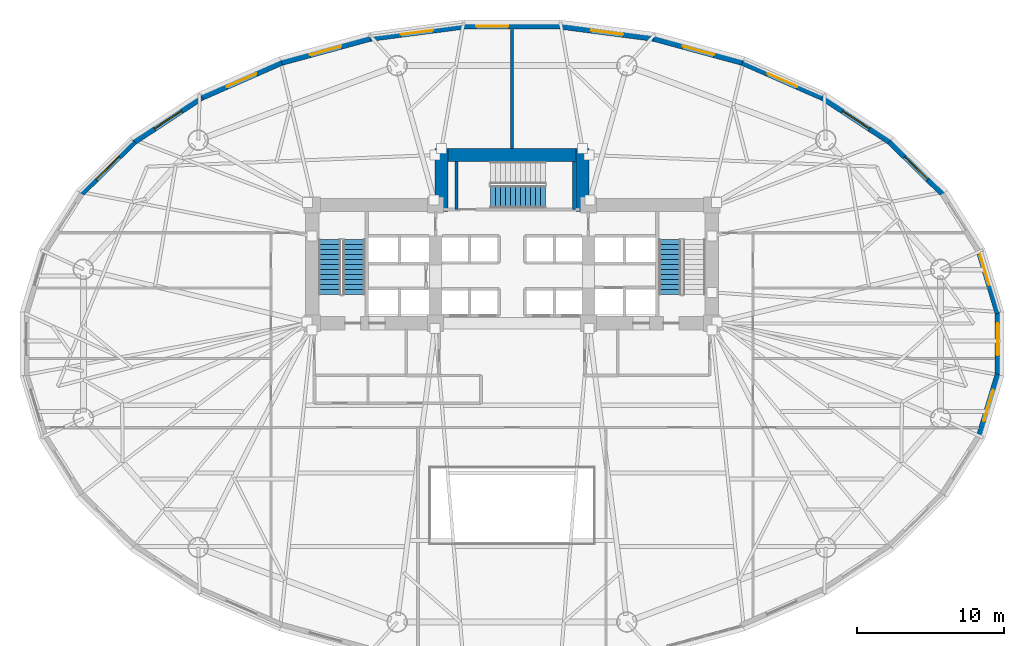
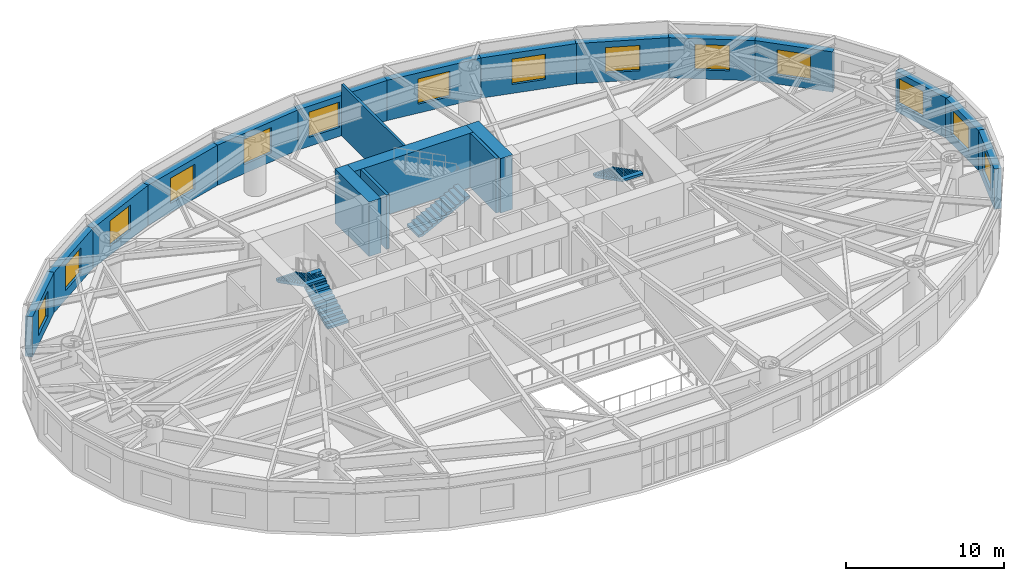
# One storey, part 12 of 19: 20 walls, 14 windows, 4 stair flights, 14 openings, 3 elements without a shape of their own.
"""IFC4 building model written with IfcOpenShell, lengths in metres."""

from ifc_helpers import new_model, si_unit, direction, frame, frame_2d, origin, place, context, subcontext, project, spatial, polyline, rectangle, outline, extrude, material, layer, layer_set, type_object, element, fill, aggregate, save


model = new_model("IFC4")

# Units and contexts
model_context = context("Model", 3, precision=1e-05, world=origin(), true_north=direction((0.0, 1.0)))
body_context = subcontext(model_context, "Body", "Model", "MODEL_VIEW")
ifc_project = project(units=[si_unit("LENGTHUNIT", "METRE"), si_unit("AREAUNIT", "SQUARE_METRE"), si_unit("VOLUMEUNIT", "CUBIC_METRE"), si_unit("PLANEANGLEUNIT", "RADIAN"), si_unit("MASSUNIT", "GRAM", prefix="KILO")], contexts=[model_context])

# Site, building, storey
site_placement = place(None, origin())
site = spatial("IfcSite", under=ifc_project, at=site_placement, CompositionType="ELEMENT")
building_placement = place(site_placement, origin())
building = spatial("IfcBuilding", under=site, at=building_placement, Name="Keldmark Tower", CompositionType="ELEMENT")
storey_placement = place(building_placement, frame((0.0, 0.0, 10.199951171875)))
storey = spatial("IfcBuildingStorey", under=building, at=storey_placement, Name="L02", CompositionType="ELEMENT", Elevation=10.199951171875)

# Walls
ifc_material_1 = material(Name="STC-58 Insulated Tenant Demising Gypsum Partition", Category="gypsum")
ifc_layer_1 = layer(ifc_material_1, 0.175048828125)
ifc_layer_set_1 = layer_set([ifc_layer_1], Name="STC-58 Insulated Tenant Demising Gypsum Partition")
wall_type_1 = type_object("IfcWallType", Name="Demising Suite Partition 175 mm", PredefinedType="PARTITIONING", material=ifc_layer_set_1)
wall_1_placement = place(storey_placement, frame((0.0, 13.300048828125, 0.0), z_axis=(0.0, 0.0, 1.0), x_axis=(0.0, 1.0, 0.0)))
element("IfcWall", 1, at=wall_1_placement, inside=storey, type_object=wall_type_1, Name="L02 Demising Suite Partition 175 mm N-MID-DIV", PredefinedType="PARTITIONING", context=body_context, shape_type="SweptSolid", body=[
    extrude(rectangle(XDim=8.10595703125, YDim=0.175048828125, at=frame_2d((4.052978515625, 0.0))), origin(), (0.0, 0.0, 1.0), 3.97998046875),
])
ifc_material_2 = material(Name="Concrete C70/85", Category="concrete")
ifc_layer_2 = layer(ifc_material_2, 0.89990234375)
ifc_layer_set_2 = layer_set([ifc_layer_2], Name="Concrete C70/85")
wall_type_2 = type_object("IfcWallType", Name="Lower Core Shear Wall 900 mm", PredefinedType="SHEAR", material=ifc_layer_set_2)
wall_2_placement = place(storey_placement, frame((-5.25, 12.85009765625, 0.0), z_axis=(0.0, 0.0, 1.0), x_axis=(1.0, 0.0, 0.0)))
element("IfcWall", 2, at=wall_2_placement, inside=storey, type_object=wall_type_2, Name="L02 North Core Shear Wall", PredefinedType="SHEAR", context=body_context, shape_type="SweptSolid", body=[
    extrude(rectangle(XDim=10.5, YDim=0.89990234375, at=frame_2d((5.25, 0.0))), origin(), (0.0, 0.0, 1.0), 4.199951171875),
])
for number, where, z_axis, x_axis, name in (
    (3, (-4.800048828125, 9.0, 0.0), (0.0, 0.0, 1.0), (0.0, 1.0, 0.0), "L02 North Core West Shear Wall"),
    (4, (4.800048828125, 9.0, 0.0), (0.0, 0.0, 1.0), (0.0, 1.0, 0.0), "L02 North Core East Shear Wall"),
):
    element("IfcWall", number, at=place(storey_placement, frame(where, z_axis=z_axis, x_axis=x_axis)), inside=storey, type_object=wall_type_2, Name=name, PredefinedType="SHEAR", context=body_context, shape_type="SweptSolid", body=[
        extrude(rectangle(XDim=4.300048828125, YDim=0.89990234375, at=frame_2d((2.14990234375, 0.0))), origin(), (0.0, 0.0, 1.0), 4.199951171875),
    ])

# Wall, opening, window
ifc_material_3 = material(Name="Ironspot Manganese Brick and Kasota Buff Limestone Cavity Assembly", Category="masonry")
ifc_layer_3 = layer(ifc_material_3, 0.47998046875)
ifc_layer_set_3 = layer_set([ifc_layer_3], Name="Ironspot Manganese Brick and Kasota Buff Limestone Cavity Assembly")
wall_type_3 = type_object("IfcWallType", Name="Podium Brick and Limestone Cavity Wall 480 mm", PredefinedType="STANDARD", material=ifc_layer_set_3)
wall_3_placement = place(storey_placement, frame((31.827880859375, 6.316650390625, 0.0), z_axis=(0.0, 0.0, 1.0), x_axis=(0.289855603468, -0.957070388811, 0.0)))
wall_3 = element("IfcWall", 5, at=wall_3_placement, inside=storey, type_object=wall_type_3, Name="L02 Exterior Brick and Spandrel Wall 01", PredefinedType="STANDARD", context=body_context, shape_type="SweptSolid", body=[
    extrude(rectangle(XDim=4.41943359375, YDim=0.47998046875, at=frame_2d((2.209716796875, 0.0))), origin(), (0.0, 0.0, 1.0), 3.109130859375),
])
opening_1_placement = place(wall_3_placement, frame((0.199951171875, 0.0, 0.699951171875)))
opening_1 = element("IfcOpeningElement", 6, at=opening_1_placement, cuts=wall_3, Name="Opening W-01", PredefinedType="OPENING", context=body_context, shape_type="SweptSolid", body=[
    extrude(rectangle(XDim=2.199951171875, YDim=1.949951171875, at=frame_2d((1.10009765625, 0.97509765625))), frame((0.0, 0.25, 0.0), z_axis=(0.0, -1.0, 0.0), x_axis=(1.0, 0.0, 0.0)), (0.0, 0.0, 1.0), 0.5),
])
ifc_material_4 = material(Name="Thermally Broken Anodized Aluminum and Triple Low-E Argon Glazing", Category="aluminium")
window_type = type_object("IfcWindowType", Name="Podium Arched-Head Punched Window 2200x1950", PartitioningType="SINGLE_PANEL", PredefinedType="WINDOW", material=ifc_material_4)
window_1_placement = place(opening_1_placement, origin())
window_1 = element("IfcWindow", 7, at=window_1_placement, inside=storey, type_object=window_type, Name="L02 Deep-Set Window 01", OverallHeight=1.949951171875, OverallWidth=2.199951171875, PartitioningType="SINGLE_PANEL", PredefinedType="WINDOW", context=body_context, shape_type="SweptSolid", body=[
    extrude(rectangle(XDim=2.199951171875, YDim=1.949951171875, at=frame_2d((1.10009765625, 0.97509765625))), frame((0.0, -0.010009765625, 0.0), z_axis=(0.0, -1.0, 0.0), x_axis=(1.0, 0.0, 0.0)), (0.0, 0.0, 1.0), 0.06005859375),
])
fill(opening_1, window_1)

wall_4_placement = place(storey_placement, frame((25.727783203125, 13.785400390625, 0.0), z_axis=(0.0, 0.0, 1.0), x_axis=(0.713189080178, -0.700971708355, 0.0)))
wall_4 = element("IfcWall", 8, at=wall_4_placement, inside=storey, type_object=wall_type_3, Name="L02 Exterior Brick and Spandrel Wall 03", PredefinedType="STANDARD", context=body_context, shape_type="SweptSolid", body=[
    extrude(rectangle(XDim=5.11572265625, YDim=0.47998046875, at=frame_2d((2.557861328125, 0.0))), origin(), (0.0, 0.0, 1.0), 3.109130859375),
])
opening_2_placement = place(wall_4_placement, frame((1.4580078125, 0.0, 0.699951171875)))
opening_2 = element("IfcOpeningElement", 9, at=opening_2_placement, cuts=wall_4, Name="Opening W-01", PredefinedType="OPENING", context=body_context, shape_type="SweptSolid", body=[
    extrude(rectangle(XDim=2.199951171875, YDim=1.949951171875, at=frame_2d((1.10009765625, 0.97509765625))), frame((0.0, 0.25, 0.0), z_axis=(0.0, -1.0, 0.0), x_axis=(1.0, 0.0, 0.0)), (0.0, 0.0, 1.0), 0.5),
])
window_2_placement = place(opening_2_placement, origin())
window_2 = element("IfcWindow", 10, at=window_2_placement, inside=storey, type_object=window_type, Name="L02 Deep-Set Window 03", OverallHeight=1.949951171875, OverallWidth=2.199951171875, PartitioningType="SINGLE_PANEL", PredefinedType="WINDOW", context=body_context, shape_type="SweptSolid", body=[
    extrude(rectangle(XDim=2.199951171875, YDim=1.949951171875, at=frame_2d((1.10009765625, 0.97509765625))), frame((0.0, -0.010009765625, 0.0), z_axis=(0.0, -1.0, 0.0), x_axis=(1.0, 0.0, 0.0)), (0.0, 0.0, 1.0), 0.06005859375),
])
fill(opening_2, window_2)

wall_5_placement = place(storey_placement, frame((21.12060546875, 16.8056640625, 0.0), z_axis=(0.0, 0.0, 1.0), x_axis=(0.835863918172, -0.548936708827, 0.0)))
wall_5 = element("IfcWall", 11, at=wall_5_placement, inside=storey, type_object=wall_type_3, Name="L02 Exterior Brick and Spandrel Wall 04", PredefinedType="STANDARD", context=body_context, shape_type="SweptSolid", body=[
    extrude(rectangle(XDim=5.555419921875, YDim=0.47998046875, at=frame_2d((2.77783203125, 0.0))), origin(), (0.0, 0.0, 1.0), 3.109130859375),
])
opening_3_placement = place(wall_5_placement, frame((1.677734375, 0.0, 0.699951171875)))
opening_3 = element("IfcOpeningElement", 12, at=opening_3_placement, cuts=wall_5, Name="Opening W-01", PredefinedType="OPENING", context=body_context, shape_type="SweptSolid", body=[
    extrude(rectangle(XDim=2.199951171875, YDim=1.949951171875, at=frame_2d((1.10009765625, 0.97509765625))), frame((0.0, 0.25, 0.0), z_axis=(0.0, -1.0, 0.0), x_axis=(1.0, 0.0, 0.0)), (0.0, 0.0, 1.0), 0.5),
])
window_3_placement = place(opening_3_placement, origin())
window_3 = element("IfcWindow", 13, at=window_3_placement, inside=storey, type_object=window_type, Name="L02 Deep-Set Window 04", OverallHeight=1.949951171875, OverallWidth=2.199951171875, PartitioningType="SINGLE_PANEL", PredefinedType="WINDOW", context=body_context, shape_type="SweptSolid", body=[
    extrude(rectangle(XDim=2.199951171875, YDim=1.949951171875, at=frame_2d((1.10009765625, 0.97509765625))), frame((0.0, -0.010009765625, 0.0), z_axis=(0.0, -1.0, 0.0), x_axis=(1.0, 0.0, 0.0)), (0.0, 0.0, 1.0), 0.06005859375),
])
fill(opening_3, window_3)

wall_6_placement = place(storey_placement, frame((15.6953125, 19.1826171875, 0.0), z_axis=(0.0, 0.0, 1.0), x_axis=(0.91570760638, -0.401845218484, 0.0)))
wall_6 = element("IfcWall", 14, at=wall_6_placement, inside=storey, type_object=wall_type_3, Name="L02 Exterior Brick and Spandrel Wall 05", PredefinedType="STANDARD", context=body_context, shape_type="SweptSolid", body=[
    extrude(rectangle(XDim=5.963134765625, YDim=0.47998046875, at=frame_2d((2.9814453125, 0.0))), origin(), (0.0, 0.0, 1.0), 3.109130859375),
])
opening_4_placement = place(wall_6_placement, frame((1.881591796875, 0.0, 0.699951171875)))
opening_4 = element("IfcOpeningElement", 15, at=opening_4_placement, cuts=wall_6, Name="Opening W-01", PredefinedType="OPENING", context=body_context, shape_type="SweptSolid", body=[
    extrude(rectangle(XDim=2.199951171875, YDim=1.949951171875, at=frame_2d((1.10009765625, 0.97509765625))), frame((0.0, 0.25, 0.0), z_axis=(0.0, -1.0, 0.0), x_axis=(1.0, 0.0, 0.0)), (0.0, 0.0, 1.0), 0.5),
])
window_4_placement = place(opening_4_placement, origin())
window_4 = element("IfcWindow", 16, at=window_4_placement, inside=storey, type_object=window_type, Name="L02 Deep-Set Window 05", OverallHeight=1.949951171875, OverallWidth=2.199951171875, PartitioningType="SINGLE_PANEL", PredefinedType="WINDOW", context=body_context, shape_type="SweptSolid", body=[
    extrude(rectangle(XDim=2.199951171875, YDim=1.949951171875, at=frame_2d((1.10009765625, 0.97509765625))), frame((0.0, -0.010009765625, 0.0), z_axis=(0.0, -1.0, 0.0), x_axis=(1.0, 0.0, 0.0)), (0.0, 0.0, 1.0), 0.06005859375),
])
fill(opening_4, window_4)

wall_7_placement = place(storey_placement, frame((9.66162109375, 20.821044921875, 0.0), z_axis=(0.0, 0.0, 1.0), x_axis=(0.964936550718, -0.262483243445, 0.0)))
wall_7 = element("IfcWall", 17, at=wall_7_placement, inside=storey, type_object=wall_type_3, Name="L02 Exterior Brick and Spandrel Wall 06", PredefinedType="STANDARD", context=body_context, shape_type="SweptSolid", body=[
    extrude(rectangle(XDim=6.28759765625, YDim=0.47998046875, at=frame_2d((3.143798828125, 0.0))), origin(), (0.0, 0.0, 1.0), 3.109130859375),
])
opening_5_placement = place(wall_7_placement, frame((2.0439453125, 0.0, 0.699951171875)))
opening_5 = element("IfcOpeningElement", 18, at=opening_5_placement, cuts=wall_7, Name="Opening W-01", PredefinedType="OPENING", context=body_context, shape_type="SweptSolid", body=[
    extrude(rectangle(XDim=2.199951171875, YDim=1.949951171875, at=frame_2d((1.10009765625, 0.97509765625))), frame((0.0, 0.25, 0.0), z_axis=(0.0, -1.0, 0.0), x_axis=(1.0, 0.0, 0.0)), (0.0, 0.0, 1.0), 0.5),
])
window_5_placement = place(opening_5_placement, origin())
window_5 = element("IfcWindow", 19, at=window_5_placement, inside=storey, type_object=window_type, Name="L02 Deep-Set Window 06", OverallHeight=1.949951171875, OverallWidth=2.199951171875, PartitioningType="SINGLE_PANEL", PredefinedType="WINDOW", context=body_context, shape_type="SweptSolid", body=[
    extrude(rectangle(XDim=2.199951171875, YDim=1.949951171875, at=frame_2d((1.10009765625, 0.97509765625))), frame((0.0, -0.010009765625, 0.0), z_axis=(0.0, -1.0, 0.0), x_axis=(1.0, 0.0, 0.0)), (0.0, 0.0, 1.0), 0.06005859375),
])
fill(opening_5, window_5)

wall_8_placement = place(storey_placement, frame((3.25244140625, 21.656005859375, 0.0), z_axis=(0.0, 0.0, 1.0), x_axis=(0.991576921472, -0.129519144545, 0.0)))
wall_8 = element("IfcWall", 20, at=wall_8_placement, inside=storey, type_object=wall_type_3, Name="L02 Exterior Brick and Spandrel Wall 07", PredefinedType="STANDARD", context=body_context, shape_type="SweptSolid", body=[
    extrude(rectangle(XDim=6.49560546875, YDim=0.47998046875, at=frame_2d((3.247802734375, 0.0))), origin(), (0.0, 0.0, 1.0), 3.109130859375),
])
opening_6_placement = place(wall_8_placement, frame((2.147705078125, 0.0, 0.699951171875)))
opening_6 = element("IfcOpeningElement", 21, at=opening_6_placement, cuts=wall_8, Name="Opening W-01", PredefinedType="OPENING", context=body_context, shape_type="SweptSolid", body=[
    extrude(rectangle(XDim=2.199951171875, YDim=1.949951171875, at=frame_2d((1.10009765625, 0.97509765625))), frame((0.0, 0.25, 0.0), z_axis=(0.0, -1.0, 0.0), x_axis=(1.0, 0.0, 0.0)), (0.0, 0.0, 1.0), 0.5),
])
window_6_placement = place(opening_6_placement, origin())
window_6 = element("IfcWindow", 22, at=window_6_placement, inside=storey, type_object=window_type, Name="L02 Deep-Set Window 07", OverallHeight=1.949951171875, OverallWidth=2.199951171875, PartitioningType="SINGLE_PANEL", PredefinedType="WINDOW", context=body_context, shape_type="SweptSolid", body=[
    extrude(rectangle(XDim=2.199951171875, YDim=1.949951171875, at=frame_2d((1.10009765625, 0.97509765625))), frame((0.0, -0.010009765625, 0.0), z_axis=(0.0, -1.0, 0.0), x_axis=(1.0, 0.0, 0.0)), (0.0, 0.0, 1.0), 0.06005859375),
])
fill(opening_6, window_6)

wall_9_placement = place(storey_placement, frame((-3.28369140625, 21.654052734375, 0.0), z_axis=(0.0, 0.0, 1.0), x_axis=(1.0, 0.0, 0.0)))
wall_9 = element("IfcWall", 23, at=wall_9_placement, inside=storey, type_object=wall_type_3, Name="L02 Exterior Brick and Spandrel Wall 08", PredefinedType="STANDARD", context=body_context, shape_type="SweptSolid", body=[
    extrude(rectangle(XDim=6.5673828125, YDim=0.47998046875, at=frame_2d((3.28369140625, 0.0))), origin(), (0.0, 0.0, 1.0), 3.109130859375),
])
opening_7_placement = place(wall_9_placement, frame((0.8447265625, 0.0, 0.699951171875)))
opening_7 = element("IfcOpeningElement", 24, at=opening_7_placement, cuts=wall_9, Name="Opening W-01", PredefinedType="OPENING", context=body_context, shape_type="SweptSolid", body=[
    extrude(rectangle(XDim=2.199951171875, YDim=1.949951171875, at=frame_2d((1.10009765625, 0.97509765625))), frame((0.0, 0.25, 0.0), z_axis=(0.0, -1.0, 0.0), x_axis=(1.0, 0.0, 0.0)), (0.0, 0.0, 1.0), 0.5),
])
window_7_placement = place(opening_7_placement, origin())
window_7 = element("IfcWindow", 25, at=window_7_placement, inside=storey, type_object=window_type, Name="L02 Deep-Set Window 08", OverallHeight=1.949951171875, OverallWidth=2.199951171875, PartitioningType="SINGLE_PANEL", PredefinedType="WINDOW", context=body_context, shape_type="SweptSolid", body=[
    extrude(rectangle(XDim=2.199951171875, YDim=1.949951171875, at=frame_2d((1.10009765625, 0.97509765625))), frame((0.0, -0.010009765625, 0.0), z_axis=(0.0, -1.0, 0.0), x_axis=(1.0, 0.0, 0.0)), (0.0, 0.0, 1.0), 0.06005859375),
])
fill(opening_7, window_7)

wall_10_placement = place(storey_placement, frame((-9.693359375, 20.814697265625, 0.0), z_axis=(0.0, 0.0, 1.0), x_axis=(0.991576921472, 0.129519144545, 0.0)))
wall_10 = element("IfcWall", 26, at=wall_10_placement, inside=storey, type_object=wall_type_3, Name="L02 Exterior Brick and Spandrel Wall 09", PredefinedType="STANDARD", context=body_context, shape_type="SweptSolid", body=[
    extrude(rectangle(XDim=6.49560546875, YDim=0.47998046875, at=frame_2d((3.247802734375, 0.0))), origin(), (0.0, 0.0, 1.0), 3.109130859375),
])
opening_8_placement = place(wall_10_placement, frame((2.147705078125, 0.0, 0.699951171875)))
opening_8 = element("IfcOpeningElement", 27, at=opening_8_placement, cuts=wall_10, Name="Opening W-01", PredefinedType="OPENING", context=body_context, shape_type="SweptSolid", body=[
    extrude(rectangle(XDim=2.199951171875, YDim=1.949951171875, at=frame_2d((1.10009765625, 0.97509765625))), frame((0.0, 0.25, 0.0), z_axis=(0.0, -1.0, 0.0), x_axis=(1.0, 0.0, 0.0)), (0.0, 0.0, 1.0), 0.5),
])
window_8_placement = place(opening_8_placement, origin())
window_8 = element("IfcWindow", 28, at=window_8_placement, inside=storey, type_object=window_type, Name="L02 Deep-Set Window 09", OverallHeight=1.949951171875, OverallWidth=2.199951171875, PartitioningType="SINGLE_PANEL", PredefinedType="WINDOW", context=body_context, shape_type="SweptSolid", body=[
    extrude(rectangle(XDim=2.199951171875, YDim=1.949951171875, at=frame_2d((1.10009765625, 0.97509765625))), frame((0.0, -0.010009765625, 0.0), z_axis=(0.0, -1.0, 0.0), x_axis=(1.0, 0.0, 0.0)), (0.0, 0.0, 1.0), 0.06005859375),
])
fill(opening_8, window_8)

wall_11_placement = place(storey_placement, frame((-15.728759765625, 19.170654296875, 0.0), z_axis=(0.0, 0.0, 1.0), x_axis=(0.964936550718, 0.262483243445, 0.0)))
wall_11 = element("IfcWall", 29, at=wall_11_placement, inside=storey, type_object=wall_type_3, Name="L02 Exterior Brick and Spandrel Wall 10", PredefinedType="STANDARD", context=body_context, shape_type="SweptSolid", body=[
    extrude(rectangle(XDim=6.28759765625, YDim=0.47998046875, at=frame_2d((3.143798828125, 0.0))), origin(), (0.0, 0.0, 1.0), 3.109130859375),
])
opening_9_placement = place(wall_11_placement, frame((2.0439453125, 0.0, 0.699951171875)))
opening_9 = element("IfcOpeningElement", 30, at=opening_9_placement, cuts=wall_11, Name="Opening W-01", PredefinedType="OPENING", context=body_context, shape_type="SweptSolid", body=[
    extrude(rectangle(XDim=2.199951171875, YDim=1.949951171875, at=frame_2d((1.10009765625, 0.97509765625))), frame((0.0, 0.25, 0.0), z_axis=(0.0, -1.0, 0.0), x_axis=(1.0, 0.0, 0.0)), (0.0, 0.0, 1.0), 0.5),
])
window_9_placement = place(opening_9_placement, origin())
window_9 = element("IfcWindow", 31, at=window_9_placement, inside=storey, type_object=window_type, Name="L02 Deep-Set Window 10", OverallHeight=1.949951171875, OverallWidth=2.199951171875, PartitioningType="SINGLE_PANEL", PredefinedType="WINDOW", context=body_context, shape_type="SweptSolid", body=[
    extrude(rectangle(XDim=2.199951171875, YDim=1.949951171875, at=frame_2d((1.10009765625, 0.97509765625))), frame((0.0, -0.010009765625, 0.0), z_axis=(0.0, -1.0, 0.0), x_axis=(1.0, 0.0, 0.0)), (0.0, 0.0, 1.0), 0.06005859375),
])
fill(opening_9, window_9)

wall_12_placement = place(storey_placement, frame((-21.15576171875, 16.786376953125, 0.0), z_axis=(0.0, 0.0, 1.0), x_axis=(0.91570760638, 0.401845218484, 0.0)))
wall_12 = element("IfcWall", 32, at=wall_12_placement, inside=storey, type_object=wall_type_3, Name="L02 Exterior Brick and Spandrel Wall 11", PredefinedType="STANDARD", context=body_context, shape_type="SweptSolid", body=[
    extrude(rectangle(XDim=5.963134765625, YDim=0.47998046875, at=frame_2d((2.9814453125, 0.0))), origin(), (0.0, 0.0, 1.0), 3.109130859375),
])
opening_10_placement = place(wall_12_placement, frame((1.881591796875, 0.0, 0.699951171875)))
opening_10 = element("IfcOpeningElement", 33, at=opening_10_placement, cuts=wall_12, Name="Opening W-01", PredefinedType="OPENING", context=body_context, shape_type="SweptSolid", body=[
    extrude(rectangle(XDim=2.199951171875, YDim=1.949951171875, at=frame_2d((1.10009765625, 0.97509765625))), frame((0.0, 0.25, 0.0), z_axis=(0.0, -1.0, 0.0), x_axis=(1.0, 0.0, 0.0)), (0.0, 0.0, 1.0), 0.5),
])
window_10_placement = place(opening_10_placement, origin())
window_10 = element("IfcWindow", 34, at=window_10_placement, inside=storey, type_object=window_type, Name="L02 Deep-Set Window 11", OverallHeight=1.949951171875, OverallWidth=2.199951171875, PartitioningType="SINGLE_PANEL", PredefinedType="WINDOW", context=body_context, shape_type="SweptSolid", body=[
    extrude(rectangle(XDim=2.199951171875, YDim=1.949951171875, at=frame_2d((1.10009765625, 0.97509765625))), frame((0.0, -0.010009765625, 0.0), z_axis=(0.0, -1.0, 0.0), x_axis=(1.0, 0.0, 0.0)), (0.0, 0.0, 1.0), 0.06005859375),
])
fill(opening_10, window_10)

wall_13_placement = place(storey_placement, frame((-25.76416015625, 13.756103515625, 0.0), z_axis=(0.0, 0.0, 1.0), x_axis=(0.835863918172, 0.548936708827, 0.0)))
wall_13 = element("IfcWall", 35, at=wall_13_placement, inside=storey, type_object=wall_type_3, Name="L02 Exterior Brick and Spandrel Wall 12", PredefinedType="STANDARD", context=body_context, shape_type="SweptSolid", body=[
    extrude(rectangle(XDim=5.555419921875, YDim=0.47998046875, at=frame_2d((2.77783203125, 0.0))), origin(), (0.0, 0.0, 1.0), 3.109130859375),
])
opening_11_placement = place(wall_13_placement, frame((1.677734375, 0.0, 0.699951171875)))
opening_11 = element("IfcOpeningElement", 36, at=opening_11_placement, cuts=wall_13, Name="Opening W-01", PredefinedType="OPENING", context=body_context, shape_type="SweptSolid", body=[
    extrude(rectangle(XDim=2.199951171875, YDim=1.949951171875, at=frame_2d((1.10009765625, 0.97509765625))), frame((0.0, 0.25, 0.0), z_axis=(0.0, -1.0, 0.0), x_axis=(1.0, 0.0, 0.0)), (0.0, 0.0, 1.0), 0.5),
])
window_11_placement = place(opening_11_placement, origin())
window_11 = element("IfcWindow", 37, at=window_11_placement, inside=storey, type_object=window_type, Name="L02 Deep-Set Window 12", OverallHeight=1.949951171875, OverallWidth=2.199951171875, PartitioningType="SINGLE_PANEL", PredefinedType="WINDOW", context=body_context, shape_type="SweptSolid", body=[
    extrude(rectangle(XDim=2.199951171875, YDim=1.949951171875, at=frame_2d((1.10009765625, 0.97509765625))), frame((0.0, -0.010009765625, 0.0), z_axis=(0.0, -1.0, 0.0), x_axis=(1.0, 0.0, 0.0)), (0.0, 0.0, 1.0), 0.06005859375),
])
fill(opening_11, window_11)

wall_14_placement = place(storey_placement, frame((-29.376220703125, 10.199462890625, 0.0), z_axis=(0.0, 0.0, 1.0), x_axis=(0.713189080178, 0.700971708355, 0.0)))
wall_14 = element("IfcWall", 38, at=wall_14_placement, inside=storey, type_object=wall_type_3, Name="L02 Exterior Brick and Spandrel Wall 13", PredefinedType="STANDARD", context=body_context, shape_type="SweptSolid", body=[
    extrude(rectangle(XDim=5.11572265625, YDim=0.47998046875, at=frame_2d((2.557861328125, 0.0))), origin(), (0.0, 0.0, 1.0), 3.109130859375),
])
opening_12_placement = place(wall_14_placement, frame((1.4580078125, 0.0, 0.699951171875)))
opening_12 = element("IfcOpeningElement", 39, at=opening_12_placement, cuts=wall_14, Name="Opening W-01", PredefinedType="OPENING", context=body_context, shape_type="SweptSolid", body=[
    extrude(rectangle(XDim=2.199951171875, YDim=1.949951171875, at=frame_2d((1.10009765625, 0.97509765625))), frame((0.0, 0.25, 0.0), z_axis=(0.0, -1.0, 0.0), x_axis=(1.0, 0.0, 0.0)), (0.0, 0.0, 1.0), 0.5),
])
window_12_placement = place(opening_12_placement, origin())
window_12 = element("IfcWindow", 40, at=window_12_placement, inside=storey, type_object=window_type, Name="L02 Deep-Set Window 13", OverallHeight=1.949951171875, OverallWidth=2.199951171875, PartitioningType="SINGLE_PANEL", PredefinedType="WINDOW", context=body_context, shape_type="SweptSolid", body=[
    extrude(rectangle(XDim=2.199951171875, YDim=1.949951171875, at=frame_2d((1.10009765625, 0.97509765625))), frame((0.0, -0.010009765625, 0.0), z_axis=(0.0, -1.0, 0.0), x_axis=(1.0, 0.0, 0.0)), (0.0, 0.0, 1.0), 0.06005859375),
])
fill(opening_12, window_12)

wall_15_placement = place(storey_placement, frame((33.10888671875, -2.0869140625, 0.0), z_axis=(0.0, 0.0, 1.0), x_axis=(-0.289855603468, -0.957070388811, 0.0)))
wall_15 = element("IfcWall", 41, at=wall_15_placement, inside=storey, type_object=wall_type_3, Name="L02 Exterior Brick and Spandrel Wall 31", PredefinedType="STANDARD", context=body_context, shape_type="SweptSolid", body=[
    extrude(rectangle(XDim=4.41943359375, YDim=0.47998046875, at=frame_2d((2.209716796875, 0.0))), origin(), (0.0, 0.0, 1.0), 3.109130859375),
])
opening_13_placement = place(wall_15_placement, frame((1.10986328125, 0.0, 0.699951171875)))
opening_13 = element("IfcOpeningElement", 42, at=opening_13_placement, cuts=wall_15, Name="Opening W-01", PredefinedType="OPENING", context=body_context, shape_type="SweptSolid", body=[
    extrude(rectangle(XDim=2.199951171875, YDim=1.949951171875, at=frame_2d((1.10009765625, 0.97509765625))), frame((0.0, 0.25, 0.0), z_axis=(0.0, -1.0, 0.0), x_axis=(1.0, 0.0, 0.0)), (0.0, 0.0, 1.0), 0.5),
])
window_13_placement = place(opening_13_placement, origin())
window_13 = element("IfcWindow", 43, at=window_13_placement, inside=storey, type_object=window_type, Name="L02 Deep-Set Window 31", OverallHeight=1.949951171875, OverallWidth=2.199951171875, PartitioningType="SINGLE_PANEL", PredefinedType="WINDOW", context=body_context, shape_type="SweptSolid", body=[
    extrude(rectangle(XDim=2.199951171875, YDim=1.949951171875, at=frame_2d((1.10009765625, 0.97509765625))), frame((0.0, -0.010009765625, 0.0), z_axis=(0.0, -1.0, 0.0), x_axis=(1.0, 0.0, 0.0)), (0.0, 0.0, 1.0), 0.06005859375),
])
fill(opening_13, window_13)

wall_16_placement = place(storey_placement, frame((33.0986328125, 2.156494140625, 0.0), z_axis=(0.0, 0.0, 1.0), x_axis=(0.0, -1.0, 0.0)))
wall_16 = element("IfcWall", 44, at=wall_16_placement, inside=storey, type_object=wall_type_3, Name="L02 Exterior Brick and Spandrel Wall 32", PredefinedType="STANDARD", context=body_context, shape_type="SweptSolid", body=[
    extrude(rectangle(XDim=4.31298828125, YDim=0.47998046875, at=frame_2d((2.156494140625, 0.0))), origin(), (0.0, 0.0, 1.0), 3.109130859375),
])
opening_14_placement = place(wall_16_placement, frame((0.73828125, 0.0, 0.699951171875)))
opening_14 = element("IfcOpeningElement", 45, at=opening_14_placement, cuts=wall_16, Name="Opening W-01", PredefinedType="OPENING", context=body_context, shape_type="SweptSolid", body=[
    extrude(rectangle(XDim=2.199951171875, YDim=1.949951171875, at=frame_2d((1.10009765625, 0.97509765625))), frame((0.0, 0.25, 0.0), z_axis=(0.0, -1.0, 0.0), x_axis=(1.0, 0.0, 0.0)), (0.0, 0.0, 1.0), 0.5),
])
window_14_placement = place(opening_14_placement, origin())
window_14 = element("IfcWindow", 46, at=window_14_placement, inside=storey, type_object=window_type, Name="L02 Deep-Set Window 32", OverallHeight=1.949951171875, OverallWidth=2.199951171875, PartitioningType="SINGLE_PANEL", PredefinedType="WINDOW", context=body_context, shape_type="SweptSolid", body=[
    extrude(rectangle(XDim=2.199951171875, YDim=1.949951171875, at=frame_2d((1.10009765625, 0.97509765625))), frame((0.0, -0.010009765625, 0.0), z_axis=(0.0, -1.0, 0.0), x_axis=(1.0, 0.0, 0.0)), (0.0, 0.0, 1.0), 0.06005859375),
])
fill(opening_14, window_14)

# Walls
ifc_material_5 = material(Name="Concrete C50/60", Category="concrete")
ifc_layer_4 = layer(ifc_material_5, 0.219970703125)
ifc_layer_set_4 = layer_set([ifc_layer_4], Name="Concrete C50/60")
wall_type_4 = type_object("IfcWallType", Name="Stair Core Shear Wall 220 mm", PredefinedType="SHEAR", material=ifc_layer_set_4)
for number, where, z_axis, x_axis, name in (
    (47, (-3.784912109375, 9.139892578125, 0.0), (0.0, 0.0, 1.0), (0.0, 1.0, 0.0), "L02 Central Stair Core West Shear Wall"),
    (48, (4.215087890625, 9.139892578125, 0.0), (0.0, 0.0, 1.0), (0.0, 1.0, 0.0), "L02 Central Stair Core East Shear Wall"),
):
    element("IfcWall", number, at=place(storey_placement, frame(where, z_axis=z_axis, x_axis=x_axis)), inside=storey, type_object=wall_type_4, Name=name, PredefinedType="SHEAR", context=body_context, shape_type="SweptSolid", body=[
        extrude(rectangle(XDim=3.260009765625, YDim=0.219970703125, at=frame_2d((1.6298828125, 0.0))), origin(), (0.0, 0.0, 1.0), 4.199951171875),
    ])

# Stair, stair flights
ifc_material_6 = material(Name="Concrete C40/50", Category="concrete")
stair_type = type_object("IfcStairType", Name="Precast Concrete Core Exit Stair", PredefinedType="HALF_TURN_STAIR", material=ifc_material_6)
stair_1_placement = place(storey_placement, origin())
stair_1 = element("IfcStair", 49, at=stair_1_placement, inside=storey, type_object=stair_type, Name="L02 Exit Stair ST1", PredefinedType="HALF_TURN_STAIR")
ifc_material_7 = material(Name="Concrete C40/50", Category="concrete")
stair_flight_type = type_object("IfcStairFlightType", Name="Precast Concrete Stair Flight 1500 mm", PredefinedType="STRAIGHT", material=ifc_material_7)
stair_flight_1_placement = place(storey_placement, frame((-10.75, 3.35009765625, 0.0), z_axis=(0.0, 0.0, 1.0), x_axis=(0.0, 1.0, 0.0)))
stair_flight_1 = element("IfcStairFlight", 50, at=stair_flight_1_placement, type_object=stair_flight_type, Name="ST1 flight 1", NumberOfRisers=12, NumberOfTreads=11, PredefinedType="STRAIGHT", RiserHeight=0.175, TreadLength=0.34, context=body_context, shape_type="SweptSolid", body=[
    extrude(outline(polyline([(0.0, 0.0), (0.0, 0.175048828125), (0.340087890625, 0.175048828125), (0.340087890625, 0.35009765625), (0.679931640625, 0.35009765625), (0.679931640625, 0.52490234375), (1.02001953125, 0.52490234375), (1.02001953125, 0.699951171875), (1.360107421875, 0.699951171875), (1.360107421875, 0.875), (1.699951171875, 0.875), (1.699951171875, 1.050048828125), (2.0400390625, 1.050048828125), (2.0400390625, 1.22509765625), (2.3798828125, 1.22509765625), (2.3798828125, 1.39990234375), (2.719970703125, 1.39990234375), (2.719970703125, 1.574951171875), (3.06005859375, 1.574951171875), (3.06005859375, 1.75), (3.39990234375, 1.75), (3.39990234375, 1.925048828125), (3.739990234375, 1.925048828125), (3.739990234375, 2.10009765625), (3.739990234375, 1.75634765625), (0.32763671875, 0.0), (0.0, 0.0)])), frame((0.0, 0.75, 0.0), z_axis=(0.0, -1.0, 0.0), x_axis=(1.0, 0.0, 0.0)), (0.0, 0.0, 1.0), 1.5),
])
stair_flight_2_placement = place(storey_placement, frame((-12.39990234375, 7.090087890625, 2.10009765625), z_axis=(0.0, 0.0, 1.0), x_axis=(0.0, -1.0, 0.0)))
stair_flight_2 = element("IfcStairFlight", 51, at=stair_flight_2_placement, type_object=stair_flight_type, Name="ST1 flight 2", NumberOfRisers=12, NumberOfTreads=11, PredefinedType="STRAIGHT", RiserHeight=0.175, TreadLength=0.34, context=body_context, shape_type="SweptSolid", body=[
    extrude(outline(polyline([(0.0, 0.0), (0.0, 0.175048828125), (0.340087890625, 0.175048828125), (0.340087890625, 0.35009765625), (0.679931640625, 0.35009765625), (0.679931640625, 0.52490234375), (1.02001953125, 0.52490234375), (1.02001953125, 0.699951171875), (1.360107421875, 0.699951171875), (1.360107421875, 0.875), (1.699951171875, 0.875), (1.699951171875, 1.050048828125), (2.0400390625, 1.050048828125), (2.0400390625, 1.22509765625), (2.3798828125, 1.22509765625), (2.3798828125, 1.39990234375), (2.719970703125, 1.39990234375), (2.719970703125, 1.574951171875), (3.06005859375, 1.574951171875), (3.06005859375, 1.75), (3.39990234375, 1.75), (3.39990234375, 1.925048828125), (3.739990234375, 1.925048828125), (3.739990234375, 2.10009765625), (3.739990234375, 1.75634765625), (0.32763671875, 0.0), (0.0, 0.0)])), frame((0.0, 0.75, 0.0), z_axis=(0.0, -1.0, 0.0), x_axis=(1.0, 0.0, 0.0)), (0.0, 0.0, 1.0), 1.5),
])
aggregate(stair_1, [stair_flight_1, stair_flight_2])

# Stair, stair flight
stair_2_placement = place(storey_placement, origin())
stair_2 = element("IfcStair", 52, at=stair_2_placement, inside=storey, type_object=stair_type, Name="L02 Exit Stair ST2", PredefinedType="HALF_TURN_STAIR")
stair_flight_3_placement = place(storey_placement, frame((10.75, 7.090087890625, 2.10009765625), z_axis=(0.0, 0.0, 1.0), x_axis=(0.0, -1.0, 0.0)))
stair_flight_3 = element("IfcStairFlight", 53, at=stair_flight_3_placement, type_object=stair_flight_type, Name="ST2 flight 2", NumberOfRisers=12, NumberOfTreads=11, PredefinedType="STRAIGHT", RiserHeight=0.175, TreadLength=0.34, context=body_context, shape_type="SweptSolid", body=[
    extrude(outline(polyline([(0.0, 0.0), (0.0, 0.175048828125), (0.340087890625, 0.175048828125), (0.340087890625, 0.35009765625), (0.679931640625, 0.35009765625), (0.679931640625, 0.52490234375), (1.02001953125, 0.52490234375), (1.02001953125, 0.699951171875), (1.360107421875, 0.699951171875), (1.360107421875, 0.875), (1.699951171875, 0.875), (1.699951171875, 1.050048828125), (2.0400390625, 1.050048828125), (2.0400390625, 1.22509765625), (2.3798828125, 1.22509765625), (2.3798828125, 1.39990234375), (2.719970703125, 1.39990234375), (2.719970703125, 1.574951171875), (3.06005859375, 1.574951171875), (3.06005859375, 1.75), (3.39990234375, 1.75), (3.39990234375, 1.925048828125), (3.739990234375, 1.925048828125), (3.739990234375, 2.10009765625), (3.739990234375, 1.75634765625), (0.32763671875, 0.0), (0.0, 0.0)])), frame((0.0, 0.75, 0.0), z_axis=(0.0, -1.0, 0.0), x_axis=(1.0, 0.0, 0.0)), (0.0, 0.0, 1.0), 1.5),
])
aggregate(stair_2, [stair_flight_3])

stair_3_placement = place(storey_placement, origin())
stair_3 = element("IfcStair", 54, at=stair_3_placement, inside=storey, type_object=stair_type, Name="L02 Exit Stair ST3", PredefinedType="HALF_TURN_STAIR")
stair_flight_4_placement = place(storey_placement, frame((-1.47509765625, 10.0, 0.0), z_axis=(0.0, 0.0, 1.0), x_axis=(1.0, 0.0, 0.0)))
stair_flight_4 = element("IfcStairFlight", 55, at=stair_flight_4_placement, type_object=stair_flight_type, Name="ST3 flight 1", NumberOfRisers=12, NumberOfTreads=11, PredefinedType="STRAIGHT", RiserHeight=0.175, TreadLength=0.34, context=body_context, shape_type="SweptSolid", body=[
    extrude(outline(polyline([(0.0, 0.0), (0.0, 0.175048828125), (0.340087890625, 0.175048828125), (0.340087890625, 0.35009765625), (0.679931640625, 0.35009765625), (0.679931640625, 0.52490234375), (1.02001953125, 0.52490234375), (1.02001953125, 0.699951171875), (1.360107421875, 0.699951171875), (1.360107421875, 0.875), (1.699951171875, 0.875), (1.699951171875, 1.050048828125), (2.0400390625, 1.050048828125), (2.0400390625, 1.22509765625), (2.3798828125, 1.22509765625), (2.3798828125, 1.39990234375), (2.719970703125, 1.39990234375), (2.719970703125, 1.574951171875), (3.06005859375, 1.574951171875), (3.06005859375, 1.75), (3.39990234375, 1.75), (3.39990234375, 1.925048828125), (3.739990234375, 1.925048828125), (3.739990234375, 2.10009765625), (3.739990234375, 1.75634765625), (0.32763671875, 0.0), (0.0, 0.0)])), frame((0.0, 0.75, 0.0), z_axis=(0.0, -1.0, 0.0), x_axis=(1.0, 0.0, 0.0)), (0.0, 0.0, 1.0), 1.5),
])
aggregate(stair_3, [stair_flight_4])

save(model, "model.ifc")
